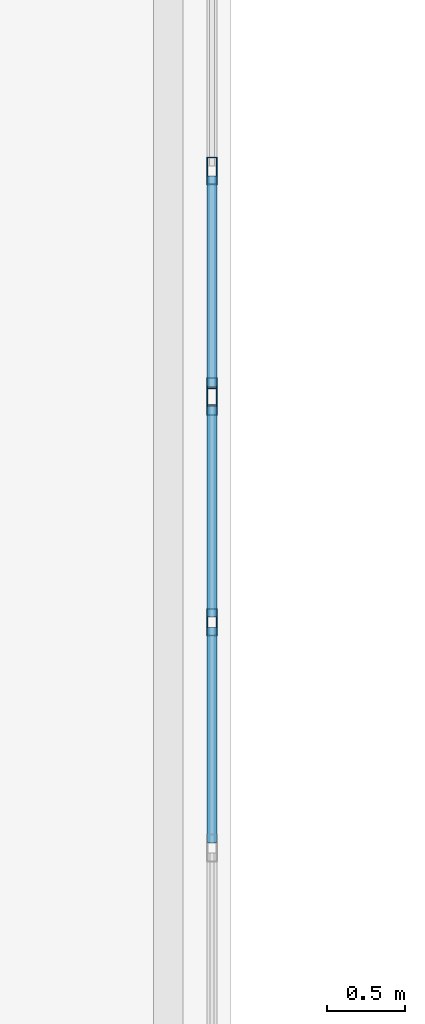
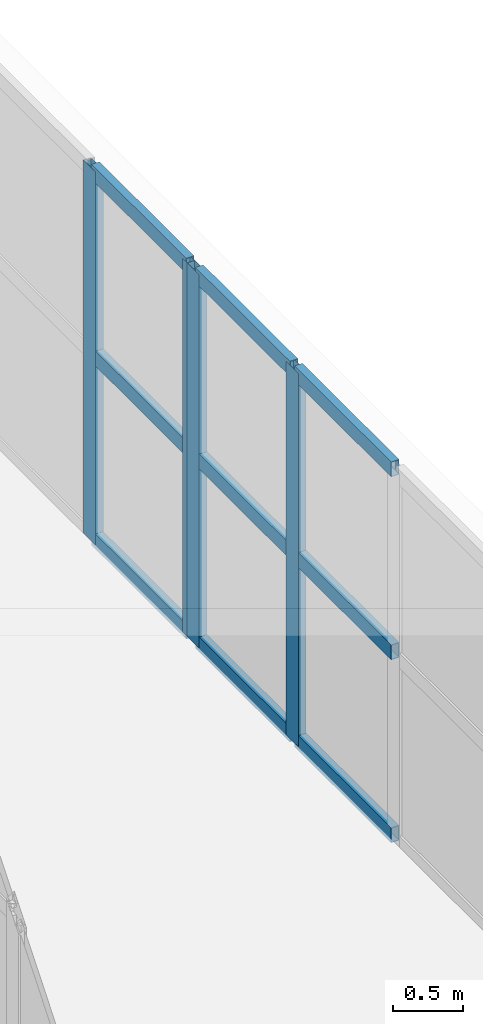
# One storey, part 30 of 52: 13 members, 2 elements without a shape of their own.
"""IFC4 building model written with IfcOpenShell, lengths in metres."""

from ifc_helpers import new_model, si_unit, direction, frame, origin, origin_2d, place, context, subcontext, project, spatial, hollow_rectangle, extrude, material, layer, layer_set, material_profile, profile_set, type_object, element, aggregate, save


model = new_model("IFC4")

# Units and contexts
model_context = context("Model", 3, precision=1e-05, world=origin(), true_north=direction((0.0, 1.0)))
body_context = subcontext(model_context, "Body", "Model", "MODEL_VIEW")
ifc_project = project(units=[si_unit("LENGTHUNIT", "METRE"), si_unit("AREAUNIT", "SQUARE_METRE"), si_unit("VOLUMEUNIT", "CUBIC_METRE"), si_unit("PLANEANGLEUNIT", "RADIAN"), si_unit("MASSUNIT", "GRAM", prefix="KILO")], contexts=[model_context])

# Site, building, storey
site_placement = place(None, origin())
site = spatial("IfcSite", under=ifc_project, at=site_placement, CompositionType="ELEMENT")
building_placement = place(site_placement, origin())
building = spatial("IfcBuilding", under=site, at=building_placement, Name="Valcora Specialist Clinic", CompositionType="ELEMENT")
storey_placement = place(building_placement, frame((0.0, 0.0, 17.679931640625)))
storey = spatial("IfcBuildingStorey", under=building, at=storey_placement, Name="L04", CompositionType="ELEMENT", Elevation=17.679931640625)

# Curtain wall, members
ifc_material = material(Name="Anodized Bronze Aluminium 6063-T6", Category="aluminium")
ifc_layer = layer(ifc_material, 0.175048828125)
ifc_layer_set = layer_set([ifc_layer], Name="Anodized Bronze Aluminium 6063-T6")
curtain_wall_type = type_object("IfcCurtainWallType", Name="TY-CW-BRG14", PredefinedType="NOTDEFINED", material=ifc_layer_set)
curtain_wall_1_placement = place(storey_placement, origin())
curtain_wall_1 = element("IfcCurtainWall", 1, at=curtain_wall_1_placement, inside=storey, type_object=curtain_wall_type, Name="Curtain wall CW-L04-282", PredefinedType="NOTDEFINED")
ifc_material_profile_1 = material_profile(ifc_material, hollow_rectangle(XDim=0.06494140625, YDim=0.175048828125, WallThickness=0.00390625, at=origin_2d()), Name="AL-MUL-65X175")
ifc_profile_set_1 = profile_set([ifc_material_profile_1], Name="Anodized Bronze Aluminium 6063-T6")
member_type_1 = type_object("IfcMemberType", Name="TY-CWM-65X175", PredefinedType="MULLION", material=ifc_profile_set_1)
member_1_placement = place(storey_placement, frame((65.280029296875, 60.72509765625, 0.0), z_axis=(0.0, 0.0, 1.0), x_axis=(-1.0, 0.0, 0.0)))
member_1 = element("IfcMember", 2, at=member_1_placement, type_object=member_type_1, Name="CW-BRG-14 mullion 4", PredefinedType="MULLION", context=body_context, shape_type="SweptSolid", body=[
    extrude(hollow_rectangle(XDim=0.06494140625, YDim=0.175048828125, WallThickness=0.00390625, at=origin_2d()), origin(), (0.0, 0.0, 1.0), 3.239990234375),
])
member_2_placement = place(storey_placement, frame((65.280029296875, 62.13427734375, 0.0), z_axis=(0.0, 0.0, 1.0), x_axis=(-1.0, 0.0, 0.0)))
member_2 = element("IfcMember", 3, at=member_2_placement, type_object=member_type_1, Name="CW-BRG-14 mullion 5", PredefinedType="MULLION", context=body_context, shape_type="SweptSolid", body=[
    extrude(hollow_rectangle(XDim=0.06494140625, YDim=0.175048828125, WallThickness=0.00390625, at=origin_2d()), origin(), (0.0, 0.0, 1.0), 3.239990234375),
])

curtain_wall_2_placement = place(storey_placement, origin())
curtain_wall_2 = element("IfcCurtainWall", 4, at=curtain_wall_2_placement, inside=storey, type_object=curtain_wall_type, Name="Curtain wall CW-L04-283", PredefinedType="NOTDEFINED")
member_3_placement = place(storey_placement, frame((65.280029296875, 62.19921875, 0.0), z_axis=(0.0, 0.0, 1.0), x_axis=(-1.0, 0.0, 0.0)))
member_3 = element("IfcMember", 5, at=member_3_placement, type_object=member_type_1, Name="CW-BRG-14 mullion 1", PredefinedType="MULLION", context=body_context, shape_type="SweptSolid", body=[
    extrude(hollow_rectangle(XDim=0.06494140625, YDim=0.175048828125, WallThickness=0.00390625, at=origin_2d()), origin(), (0.0, 0.0, 1.0), 3.239990234375),
])
member_4_placement = place(storey_placement, frame((65.280029296875, 63.6083984375, 0.0), z_axis=(0.0, 0.0, 1.0), x_axis=(-1.0, 0.0, 0.0)))
member_4 = element("IfcMember", 6, at=member_4_placement, type_object=member_type_1, Name="CW-BRG-14 mullion 2", PredefinedType="MULLION", context=body_context, shape_type="SweptSolid", body=[
    extrude(hollow_rectangle(XDim=0.06494140625, YDim=0.175048828125, WallThickness=0.00390625, at=origin_2d()), origin(), (0.0, 0.0, 1.0), 3.239990234375),
])

# Member
ifc_material_profile_2 = material_profile(ifc_material, hollow_rectangle(XDim=0.06494140625, YDim=0.1298828125, WallThickness=0.00390625, at=origin_2d()), Name="AL-TRN-65X130")
ifc_profile_set_2 = profile_set([ifc_material_profile_2], Name="Anodized Bronze Aluminium 6063-T6")
member_type_2 = type_object("IfcMemberType", Name="TY-CWT-65X130", PredefinedType="USERDEFINED", material=ifc_profile_set_2)
member_5_placement = place(storey_placement, frame((65.280029296875, 59.31591796875, 0.032470703125), z_axis=(0.0, 1.0, 0.0), x_axis=(-1.0, 0.0, 0.0)))
member_5 = element("IfcMember", 7, at=member_5_placement, type_object=member_type_2, Name="CW-BRG-14 transom 3.1", ObjectType="TRANSOM", PredefinedType="USERDEFINED", context=body_context, shape_type="SweptSolid", body=[
    extrude(hollow_rectangle(XDim=0.06494140625, YDim=0.1298828125, WallThickness=0.00390625, at=origin_2d()), origin(), (0.0, 0.0, 1.0), 1.376708984375),
])

member_6_placement = place(storey_placement, frame((65.280029296875, 59.31591796875, 1.6201171875), z_axis=(0.0, 1.0, 0.0), x_axis=(-1.0, 0.0, 0.0)))
member_6 = element("IfcMember", 8, at=member_6_placement, type_object=member_type_2, Name="CW-BRG-14 transom 3.2", ObjectType="TRANSOM", PredefinedType="USERDEFINED", context=body_context, shape_type="SweptSolid", body=[
    extrude(hollow_rectangle(XDim=0.06494140625, YDim=0.1298828125, WallThickness=0.00390625, at=origin_2d()), origin(), (0.0, 0.0, 1.0), 1.376708984375),
])

member_7_placement = place(storey_placement, frame((65.280029296875, 59.31591796875, 3.20751953125), z_axis=(0.0, 1.0, 0.0), x_axis=(-1.0, 0.0, 0.0)))
member_7 = element("IfcMember", 9, at=member_7_placement, type_object=member_type_2, Name="CW-BRG-14 transom 3.3", ObjectType="TRANSOM", PredefinedType="USERDEFINED", context=body_context, shape_type="SweptSolid", body=[
    extrude(hollow_rectangle(XDim=0.06494140625, YDim=0.1298828125, WallThickness=0.00390625, at=origin_2d()), origin(), (0.0, 0.0, 1.0), 1.376708984375),
])

member_8_placement = place(storey_placement, frame((65.280029296875, 60.757568359375, 0.032470703125), z_axis=(0.0, 1.0, 0.0), x_axis=(-1.0, 0.0, 0.0)))
member_8 = element("IfcMember", 10, at=member_8_placement, type_object=member_type_2, Name="CW-BRG-14 transom 4.1", ObjectType="TRANSOM", PredefinedType="USERDEFINED", context=body_context, shape_type="SweptSolid", body=[
    extrude(hollow_rectangle(XDim=0.06494140625, YDim=0.1298828125, WallThickness=0.00390625, at=origin_2d()), origin(), (0.0, 0.0, 1.0), 1.34423828125),
])

member_9_placement = place(storey_placement, frame((65.280029296875, 60.757568359375, 1.6201171875), z_axis=(0.0, 1.0, 0.0), x_axis=(-1.0, 0.0, 0.0)))
member_9 = element("IfcMember", 11, at=member_9_placement, type_object=member_type_2, Name="CW-BRG-14 transom 4.2", ObjectType="TRANSOM", PredefinedType="USERDEFINED", context=body_context, shape_type="SweptSolid", body=[
    extrude(hollow_rectangle(XDim=0.06494140625, YDim=0.1298828125, WallThickness=0.00390625, at=origin_2d()), origin(), (0.0, 0.0, 1.0), 1.34423828125),
])

member_10_placement = place(storey_placement, frame((65.280029296875, 60.757568359375, 3.20751953125), z_axis=(0.0, 1.0, 0.0), x_axis=(-1.0, 0.0, 0.0)))
member_10 = element("IfcMember", 12, at=member_10_placement, type_object=member_type_2, Name="CW-BRG-14 transom 4.3", ObjectType="TRANSOM", PredefinedType="USERDEFINED", context=body_context, shape_type="SweptSolid", body=[
    extrude(hollow_rectangle(XDim=0.06494140625, YDim=0.1298828125, WallThickness=0.00390625, at=origin_2d()), origin(), (0.0, 0.0, 1.0), 1.34423828125),
])

aggregate(curtain_wall_1, [member_1, member_2, member_5, member_6, member_7, member_8, member_9, member_10])

member_11_placement = place(storey_placement, frame((65.280029296875, 62.231689453125, 0.032470703125), z_axis=(0.0, 1.0, 0.0), x_axis=(-1.0, 0.0, 0.0)))
member_11 = element("IfcMember", 13, at=member_11_placement, type_object=member_type_2, Name="CW-BRG-14 transom 1.1", ObjectType="TRANSOM", PredefinedType="USERDEFINED", context=body_context, shape_type="SweptSolid", body=[
    extrude(hollow_rectangle(XDim=0.06494140625, YDim=0.1298828125, WallThickness=0.00390625, at=origin_2d()), origin(), (0.0, 0.0, 1.0), 1.34423828125),
])

member_12_placement = place(storey_placement, frame((65.280029296875, 62.231689453125, 1.6201171875), z_axis=(0.0, 1.0, 0.0), x_axis=(-1.0, 0.0, 0.0)))
member_12 = element("IfcMember", 14, at=member_12_placement, type_object=member_type_2, Name="CW-BRG-14 transom 1.2", ObjectType="TRANSOM", PredefinedType="USERDEFINED", context=body_context, shape_type="SweptSolid", body=[
    extrude(hollow_rectangle(XDim=0.06494140625, YDim=0.1298828125, WallThickness=0.00390625, at=origin_2d()), origin(), (0.0, 0.0, 1.0), 1.34423828125),
])

member_13_placement = place(storey_placement, frame((65.280029296875, 62.231689453125, 3.20751953125), z_axis=(0.0, 1.0, 0.0), x_axis=(-1.0, 0.0, 0.0)))
member_13 = element("IfcMember", 15, at=member_13_placement, type_object=member_type_2, Name="CW-BRG-14 transom 1.3", ObjectType="TRANSOM", PredefinedType="USERDEFINED", context=body_context, shape_type="SweptSolid", body=[
    extrude(hollow_rectangle(XDim=0.06494140625, YDim=0.1298828125, WallThickness=0.00390625, at=origin_2d()), origin(), (0.0, 0.0, 1.0), 1.34423828125),
])

aggregate(curtain_wall_2, [member_3, member_4, member_11, member_12, member_13])

save(model, "model.ifc")
